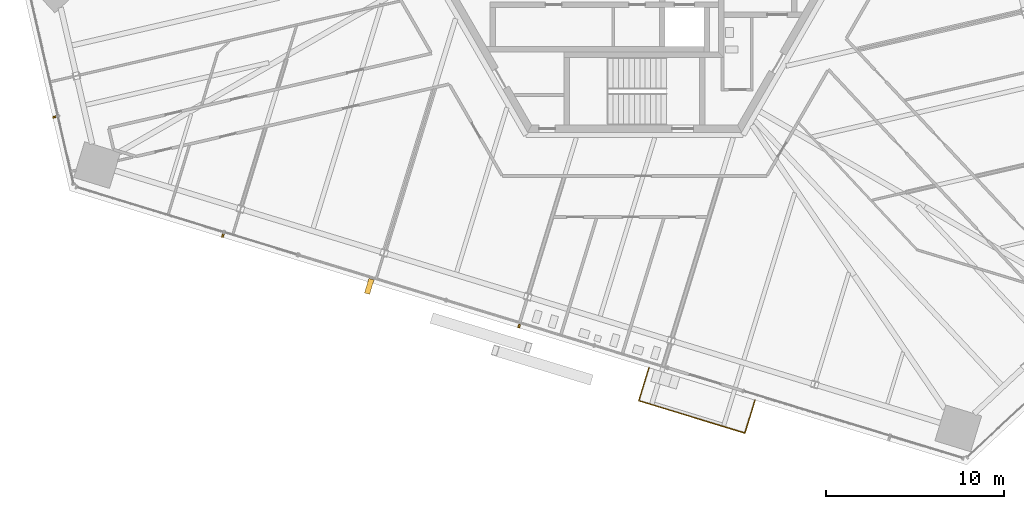
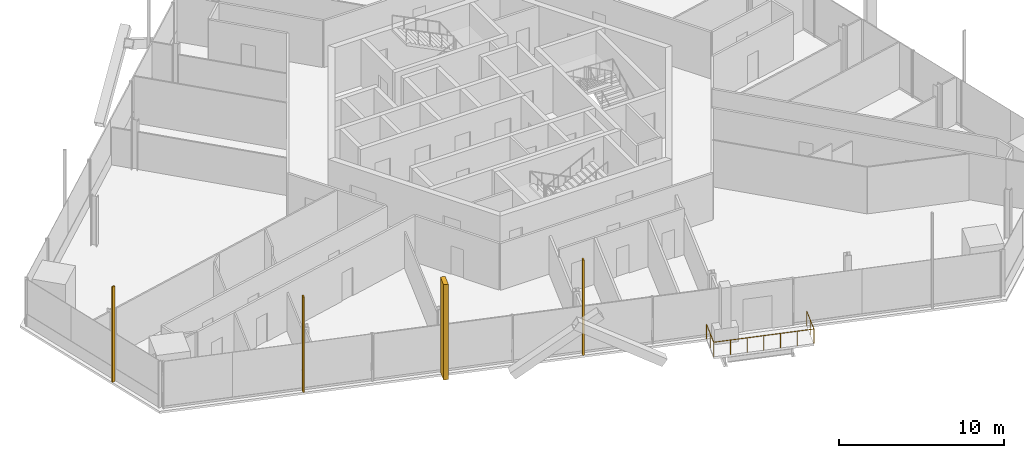
# One storey, part 18 of 24: 4 shading devices, 1 railing.
"""IFC4 building model written with IfcOpenShell, lengths in metres."""

import ifcopenshell
import ifcopenshell.guid

model = None  # the IFC model being written
_history = None  # IfcOwnerHistory: only IFC2X3 demands one
_inside = {}  # id of a spatial element -> (the spatial element, [elements in it])
_under = {}  # id of a project, library or spatial element -> (it, [spatial elements below it])
_declared = {}  # id of a project -> (the project, [libraries it declares])
_typed = {}  # id of a type object -> (the type object, [elements of that type])
_made_of = {}  # id of a material, layer set ... -> (it, [elements and type objects made of it])


def new_model(schema):
    """Start an empty IFC model of exactly this schema.

    Asked for "IFC4X3", IfcOpenShell would pick the latest addendum, in which some entities
    have other attributes; the version numbers below select the first issue.
    IFC2X3 requires an IfcOwnerHistory on every rooted entity: one is made here for all.
    """
    global model, _history
    if schema == "IFC4X3":
        model = ifcopenshell.file(schema_version=(4, 3, 0, 0))
    else:
        model = ifcopenshell.file(schema=schema)
    _inside.clear()
    _under.clear()
    _declared.clear()
    _typed.clear()
    _made_of.clear()
    _history = None
    if model.schema == "IFC2X3":
        org = make("IfcOrganization", Name="unknown")
        user = make(
            "IfcPersonAndOrganization",
            ThePerson=make("IfcPerson", FamilyName="unknown"),
            TheOrganization=org,
        )
        app = make(
            "IfcApplication",
            ApplicationDeveloper=org,
            Version="unknown",
            ApplicationFullName="unknown",
            ApplicationIdentifier="unknown",
        )
        _history = make(
            "IfcOwnerHistory",
            OwningUser=user,
            OwningApplication=app,
            ChangeAction="ADDED",
            CreationDate=0,
        )
    return model


def make(cls, **values):
    """One entity of the class cls with the attributes given. An attribute that is None is left unset."""
    return model.create_entity(
        cls, **{name: value for name, value in values.items() if value is not None}
    )


def rooted(cls, **values):
    """An entity with a GlobalId (a new one), such as an element, a storey or a relation."""
    return make(cls, GlobalId=ifcopenshell.guid.new(), OwnerHistory=_history, **values)


def si_unit(unit_type, name, prefix=None):
    """IfcSIUnit, for example si_unit("LENGTHUNIT", "METRE", prefix="MILLI")."""
    return make("IfcSIUnit", UnitType=unit_type, Prefix=prefix, Name=name)


def assignment(units):
    """IfcUnitAssignment: the units of a project."""
    return None if units is None else make("IfcUnitAssignment", Units=units)


def point(xyz):
    """IfcCartesianPoint."""
    return None if xyz is None else make("IfcCartesianPoint", Coordinates=xyz)


def direction(xyz):
    """IfcDirection."""
    return None if xyz is None else make("IfcDirection", DirectionRatios=xyz)


def frame(location, z_axis=None, x_axis=None):
    """IfcAxis2Placement3D, a coordinate frame: its origin and axes. An axis left out is left unset."""
    return make(
        "IfcAxis2Placement3D",
        Location=point(location),
        Axis=direction(z_axis),
        RefDirection=direction(x_axis),
    )


def frame_2d(location, x_axis=None):
    """IfcAxis2Placement2D, a coordinate frame in the plane: its origin and x axis."""
    return make(
        "IfcAxis2Placement2D", Location=point(location), RefDirection=direction(x_axis)
    )


def origin():
    """The frame at (0, 0, 0) with its axes left unset."""
    return frame((0.0, 0.0, 0.0))


def origin_2d():
    """The frame at (0, 0) in the plane with its x axis left unset."""
    return frame_2d((0.0, 0.0))


def place(relative_to, where):
    """IfcLocalPlacement: puts the frame where relative to a parent placement (None: the world)."""
    return make(
        "IfcLocalPlacement", PlacementRelTo=relative_to, RelativePlacement=where
    )


def context(
    kind, dimensions, precision=None, world=None, true_north=None, identifier=None
):
    """IfcGeometricRepresentationContext, for example the 3D "Model" context."""
    return make(
        "IfcGeometricRepresentationContext",
        ContextIdentifier=identifier,
        ContextType=kind,
        CoordinateSpaceDimension=dimensions,
        Precision=precision,
        WorldCoordinateSystem=world,
        TrueNorth=true_north,
    )


def subcontext(parent, identifier, kind, view, scale=None):
    """IfcGeometricRepresentationSubContext, for example "Body" below "Model"."""
    return make(
        "IfcGeometricRepresentationSubContext",
        ContextIdentifier=identifier,
        ContextType=kind,
        ParentContext=parent,
        TargetScale=scale,
        TargetView=view,
    )


def project(units=None, contexts=None):
    """IfcProject with its units and contexts."""
    return rooted(
        "IfcProject",
        Name="project",
        RepresentationContexts=contexts,
        UnitsInContext=assignment(units),
    )


def spatial(cls, under=None, at=None, **own):
    """A site, building, storey or space (cls), placed at a placement, below another one or the project."""
    s = rooted(cls, ObjectPlacement=at, **own)
    if under is not None:
        _under.setdefault(under.id(), (under, []))[1].append(s)
    return s


def profile(cls, at=None, kind="AREA", **sizes):
    """A parametric profile (cls). Its sizes go by their IFC names, for example OverallWidth=200.0."""
    return make(cls, ProfileType=kind, Position=at, **sizes)


def rectangle(**sizes):
    """IfcRectangleProfileDef."""
    return profile("IfcRectangleProfileDef", **sizes)


def circle(**sizes):
    """IfcCircleProfileDef."""
    return profile("IfcCircleProfileDef", **sizes)


def extrude(swept, where, along, depth):
    """IfcExtrudedAreaSolid: the profile swept, set in the frame where, extruded along a direction by depth."""
    return make(
        "IfcExtrudedAreaSolid",
        SweptArea=swept,
        Position=where,
        ExtrudedDirection=direction(along),
        Depth=depth,
    )


def shape(context_of_items, identifier, shape_type, items):
    """IfcShapeRepresentation: the items that make up one representation, for example the "Body"."""
    return make(
        "IfcShapeRepresentation",
        ContextOfItems=context_of_items,
        RepresentationIdentifier=identifier,
        RepresentationType=shape_type,
        Items=items,
    )


def source(mapping_origin, context_of_items, identifier, shape_type, items):
    """IfcRepresentationMap: a shape defined once, which mapped items show again and again."""
    return make(
        "IfcRepresentationMap",
        MappingOrigin=mapping_origin,
        MappedRepresentation=shape(context_of_items, identifier, shape_type, items),
    )


def transform(
    local_origin,
    x_axis=None,
    y_axis=None,
    z_axis=None,
    scale=None,
    scale2=None,
    scale3=None,
    uniform=True,
):
    """IfcCartesianTransformationOperator3D, or its non-uniform kind. x_axis, y_axis, z_axis: its Axis1, 2, 3."""
    if uniform:
        return make(
            "IfcCartesianTransformationOperator3D",
            Axis1=direction(x_axis),
            Axis2=direction(y_axis),
            LocalOrigin=point(local_origin),
            Scale=scale,
            Axis3=direction(z_axis),
        )
    return make(
        "IfcCartesianTransformationOperator3DnonUniform",
        Axis1=direction(x_axis),
        Axis2=direction(y_axis),
        LocalOrigin=point(local_origin),
        Scale=scale,
        Axis3=direction(z_axis),
        Scale2=scale2,
        Scale3=scale3,
    )


def mapped(mapping_source, mapping_target):
    """IfcMappedItem: shows the shape of a source again, moved by a transform."""
    return make(
        "IfcMappedItem", MappingSource=mapping_source, MappingTarget=mapping_target
    )


def material(Name=None, Category=None):
    """IfcMaterial."""
    return make("IfcMaterial", Name=Name, Category=Category)


def made_of(thing, what):
    """Note that an element or type object is made of a material, layer set ...; save() writes the relation."""
    if what is not None:
        _made_of.setdefault(what.id(), (what, []))[1].append(thing)
    return thing


def type_object(cls, material=None, **own):
    """A type object (cls), such as IfcWallType, which elements share."""
    return made_of(rooted(cls, **own), material)


def element(
    cls,
    number,
    at=None,
    inside=None,
    cuts=None,
    type_object=None,
    material=None,
    context=None,
    identifier="Body",
    shape_type=None,
    held_by="IfcProductDefinitionShape",
    body=None,
    shapes=None,
    **own,
):
    """One element of the class cls, such as IfcWall. Its Tag is "e" and its number.

    at: its placement. inside: the storey or other place that contains it. cuts: it is an
    opening in that element (IfcRelVoidsElement). A single representation is given by context,
    identifier, shape_type and body (its items); several are given by shapes. held_by: the class
    of the entity that holds the representations. save() writes the other relations.
    """
    e = rooted(cls, Tag="e%d" % number, ObjectPlacement=at, **own)
    if body is not None:
        shapes = [shape(context, identifier, shape_type, body)]
    if shapes is not None:
        e.Representation = make(held_by, Representations=shapes)
    if inside is not None:
        _inside.setdefault(inside.id(), (inside, []))[1].append(e)
    if cuts is not None:
        rooted(
            "IfcRelVoidsElement", RelatingBuildingElement=cuts, RelatedOpeningElement=e
        )
    if type_object is not None:
        _typed.setdefault(type_object.id(), (type_object, []))[1].append(e)
    return made_of(e, material)


def aggregate(whole, parts):
    """IfcRelAggregates: a whole, such as a stair, and the parts it consists of."""
    return rooted("IfcRelAggregates", RelatingObject=whole, RelatedObjects=parts)


def save(model, path):
    """Write the relations noted so far, then the file.

    IfcRelAggregates (storeys below a building ...), IfcRelContainedInSpatialStructure (elements
    in a storey), IfcRelDefinesByType, IfcRelAssociatesMaterial and IfcRelDeclares: one each for
    every whole, place, type object, material and project.
    """
    for whole, parts in _under.values():
        aggregate(whole, parts)
    for where, things in _inside.values():
        rooted(
            "IfcRelContainedInSpatialStructure",
            RelatedElements=things,
            RelatingStructure=where,
        )
    for kind, things in _typed.values():
        rooted("IfcRelDefinesByType", RelatedObjects=things, RelatingType=kind)
    for what, things in _made_of.values():
        rooted("IfcRelAssociatesMaterial", RelatedObjects=things, RelatingMaterial=what)
    for by, libraries in _declared.values():
        rooted("IfcRelDeclares", RelatingContext=by, RelatedDefinitions=libraries)
    model.write(path)


model = new_model("IFC4")

# Units and contexts
model_context = context("Model", 3, precision=1e-05, world=origin(), true_north=direction((0.0, 1.0)))
body_context = subcontext(model_context, "Body", "Model", "MODEL_VIEW")
ifc_project = project(units=[si_unit("LENGTHUNIT", "METRE"), si_unit("AREAUNIT", "SQUARE_METRE"), si_unit("VOLUMEUNIT", "CUBIC_METRE"), si_unit("PLANEANGLEUNIT", "RADIAN"), si_unit("MASSUNIT", "GRAM", prefix="KILO")], contexts=[model_context])

# Site, building, storey
site_placement = place(None, origin())
site = spatial("IfcSite", under=ifc_project, at=site_placement, CompositionType="ELEMENT")
building_placement = place(site_placement, origin())
building = spatial("IfcBuilding", under=site, at=building_placement, Name="Triune Harvest Tower", CompositionType="ELEMENT")
storey_placement = place(building_placement, frame((0.0, 0.0, 112.699951171875)))
storey = spatial("IfcBuildingStorey", under=building, at=storey_placement, Name="L28", CompositionType="ELEMENT", Elevation=112.699951171875)

# Shading devices
ifc_material_1 = material(Name="Aluminium bronze anodised", Category="aluminium")
shared_shape_1 = source(origin(), body_context, "Body", "SweptSolid", [
    extrude(rectangle(XDim=0.10009765625, YDim=0.199951171875, at=origin_2d()), origin(), (0.0, 0.0, 1.0), 7.0400390625),
])
for number, where, z_axis, x_axis, name in (
    (1, (-32.521484375, -9.53466796875, 0.0), (0.0, 0.0, 1.0), (0.224946950683, -0.974371012181, 0.0), "FN-1 fin B3-F4.3 L28"),
    (2, (-23.085693359375, -16.181640625, 0.0), (0.0, 0.0, 1.0), (0.956304229664, -0.292373426164, 0.0), "FN-1 fin B3-F5.3 L28"),
    (3, (-6.476318359375, -21.259765625, 0.0), (0.0, 0.0, 1.0), (0.956304229664, -0.292373426164, 0.0), "FN-1 fin B3-F5.7 L28"),
):
    element("IfcShadingDevice", number, at=place(storey_placement, frame(where, z_axis=z_axis, x_axis=x_axis)), inside=storey, material=ifc_material_1, Name=name, ObjectType="FIN", PredefinedType="USERDEFINED", context=body_context, shape_type="MappedRepresentation", body=[
        mapped(shared_shape_1, transform((0.0, 0.0, 0.0), scale=1.0)),
    ])
shared_shape_2 = source(origin(), body_context, "Body", "SweptSolid", [
    extrude(rectangle(XDim=0.300048828125, YDim=0.85009765625, at=origin_2d()), origin(), (0.0, 0.0, 1.0), 7.0400390625),
])
shading_device_placement = place(storey_placement, frame((-14.8759765625, -19.031494140625, 0.0), z_axis=(0.0, 0.0, 1.0), x_axis=(0.956304229664, -0.292373426164, 0.0)))
element("IfcShadingDevice", 4, at=shading_device_placement, inside=storey, material=ifc_material_1, Name="FN-2 fin B3-F5.5 L28", ObjectType="FIN", PredefinedType="USERDEFINED", context=body_context, shape_type="MappedRepresentation", body=[
    mapped(shared_shape_2, transform((0.0, 0.0, 0.0), scale=1.0)),
])

# Railing
ifc_material_2 = material(Name="Glass", Category="glass")
railing_type = type_object("IfcRailingType", Name="GD-2 balcony guard 1100", PredefinedType="GUARDRAIL", material=ifc_material_2)
shared_shape_3 = source(origin(), body_context, "Body", "SweptSolid", [
    extrude(circle(Radius=0.02392578125, at=origin_2d()), frame((0.0, 0.0, 1.076171875), z_axis=(-0.292388744289, -0.956299546279, 0.0), x_axis=(0.956299546279, -0.292388744289, 0.0)), (0.0, 0.0, 1.0), 1.931396484375),
    extrude(circle(Radius=0.02392578125, at=origin_2d()), frame((-0.564697265625, -1.846923828125, 1.076171875), z_axis=(0.956300358826, -0.292386086722, 0.0), x_axis=(0.292386086722, 0.956300358826, 0.0)), (0.0, 0.0, 1.0), 6.218994140625),
    extrude(circle(Radius=0.02392578125, at=origin_2d()), frame((5.382568359375, -3.665283203125, 1.076171875), z_axis=(0.292388744289, 0.956299546279, 0.0), x_axis=(-0.956299546279, 0.292388744289, 0.0)), (0.0, 0.0, 1.0), 1.931396484375),
    extrude(circle(Radius=0.02099609375, at=origin_2d()), origin(), (0.0, 0.0, 1.0), 1.052001953125),
    extrude(circle(Radius=0.02099609375, at=origin_2d()), frame((-0.2822265625, -0.92333984375, 0.0)), (0.0, 0.0, 1.0), 1.052001953125),
    extrude(circle(Radius=0.02099609375, at=origin_2d()), frame((-0.564697265625, -1.846923828125, 0.0)), (0.0, 0.0, 1.0), 1.052001953125),
    extrude(circle(Radius=0.02099609375, at=origin_2d()), frame((0.426513671875, -2.14990234375, 0.0)), (0.0, 0.0, 1.0), 1.052001953125),
    extrude(circle(Radius=0.02099609375, at=origin_2d()), frame((1.417724609375, -2.453125, 0.0)), (0.0, 0.0, 1.0), 1.052001953125),
    extrude(circle(Radius=0.02099609375, at=origin_2d()), frame((2.408935546875, -2.756103515625, 0.0)), (0.0, 0.0, 1.0), 1.052001953125),
    extrude(circle(Radius=0.02099609375, at=origin_2d()), frame((3.400146484375, -3.05908203125, 0.0)), (0.0, 0.0, 1.0), 1.052001953125),
    extrude(circle(Radius=0.02099609375, at=origin_2d()), frame((4.391357421875, -3.3623046875, 0.0)), (0.0, 0.0, 1.0), 1.052001953125),
    extrude(circle(Radius=0.02099609375, at=origin_2d()), frame((5.382568359375, -3.665283203125, 0.0)), (0.0, 0.0, 1.0), 1.052001953125),
    extrude(circle(Radius=0.02099609375, at=origin_2d()), frame((5.6650390625, -2.74169921875, 0.0)), (0.0, 0.0, 1.0), 1.052001953125),
    extrude(circle(Radius=0.02099609375, at=origin_2d()), frame((5.947265625, -1.818359375, 0.0)), (0.0, 0.0, 1.0), 1.052001953125),
])
railing_placement = place(storey_placement, frame((0.802490234375, -23.589599609375, 0.0)))
element("IfcRailing", 5, at=railing_placement, inside=storey, type_object=railing_type, Name="Balcony guard B3-F5 L28.9", PredefinedType="GUARDRAIL", context=body_context, shape_type="MappedRepresentation", body=[
    mapped(shared_shape_3, transform((0.0, 0.0, 0.0), scale=1.0)),
])

save(model, "model.ifc")
